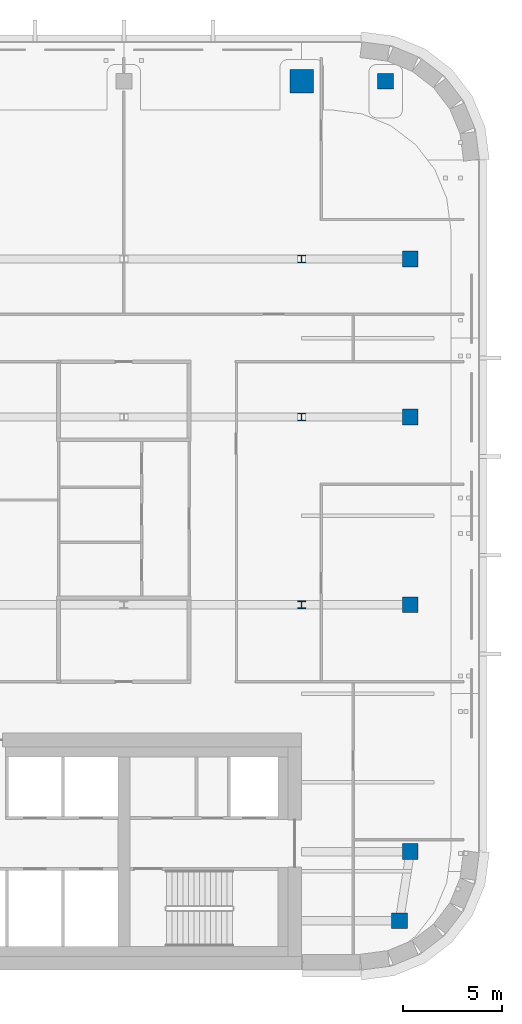
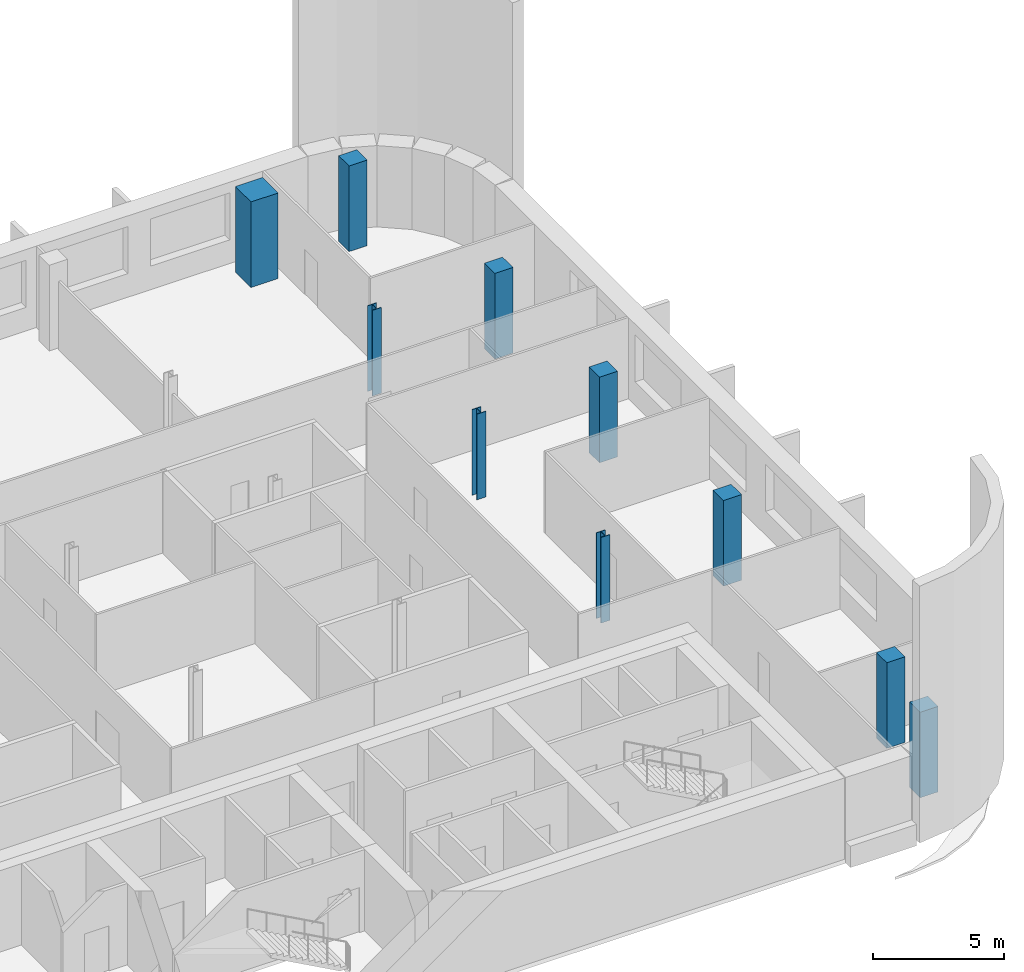
# One storey, part 4 of 19: 10 columns.
"""IFC4 building model written with IfcOpenShell, lengths in metres."""

import ifcopenshell
import ifcopenshell.guid

model = None  # the IFC model being written
_history = None  # IfcOwnerHistory: only IFC2X3 demands one
_inside = {}  # id of a spatial element -> (the spatial element, [elements in it])
_under = {}  # id of a project, library or spatial element -> (it, [spatial elements below it])
_declared = {}  # id of a project -> (the project, [libraries it declares])
_typed = {}  # id of a type object -> (the type object, [elements of that type])
_made_of = {}  # id of a material, layer set ... -> (it, [elements and type objects made of it])


def new_model(schema):
    """Start an empty IFC model of exactly this schema.

    Asked for "IFC4X3", IfcOpenShell would pick the latest addendum, in which some entities
    have other attributes; the version numbers below select the first issue.
    IFC2X3 requires an IfcOwnerHistory on every rooted entity: one is made here for all.
    """
    global model, _history
    if schema == "IFC4X3":
        model = ifcopenshell.file(schema_version=(4, 3, 0, 0))
    else:
        model = ifcopenshell.file(schema=schema)
    _inside.clear()
    _under.clear()
    _declared.clear()
    _typed.clear()
    _made_of.clear()
    _history = None
    if model.schema == "IFC2X3":
        org = make("IfcOrganization", Name="unknown")
        user = make(
            "IfcPersonAndOrganization",
            ThePerson=make("IfcPerson", FamilyName="unknown"),
            TheOrganization=org,
        )
        app = make(
            "IfcApplication",
            ApplicationDeveloper=org,
            Version="unknown",
            ApplicationFullName="unknown",
            ApplicationIdentifier="unknown",
        )
        _history = make(
            "IfcOwnerHistory",
            OwningUser=user,
            OwningApplication=app,
            ChangeAction="ADDED",
            CreationDate=0,
        )
    return model


def make(cls, **values):
    """One entity of the class cls with the attributes given. An attribute that is None is left unset."""
    return model.create_entity(
        cls, **{name: value for name, value in values.items() if value is not None}
    )


def rooted(cls, **values):
    """An entity with a GlobalId (a new one), such as an element, a storey or a relation."""
    return make(cls, GlobalId=ifcopenshell.guid.new(), OwnerHistory=_history, **values)


def si_unit(unit_type, name, prefix=None):
    """IfcSIUnit, for example si_unit("LENGTHUNIT", "METRE", prefix="MILLI")."""
    return make("IfcSIUnit", UnitType=unit_type, Prefix=prefix, Name=name)


def assignment(units):
    """IfcUnitAssignment: the units of a project."""
    return None if units is None else make("IfcUnitAssignment", Units=units)


def point(xyz):
    """IfcCartesianPoint."""
    return None if xyz is None else make("IfcCartesianPoint", Coordinates=xyz)


def direction(xyz):
    """IfcDirection."""
    return None if xyz is None else make("IfcDirection", DirectionRatios=xyz)


def frame(location, z_axis=None, x_axis=None):
    """IfcAxis2Placement3D, a coordinate frame: its origin and axes. An axis left out is left unset."""
    return make(
        "IfcAxis2Placement3D",
        Location=point(location),
        Axis=direction(z_axis),
        RefDirection=direction(x_axis),
    )


def frame_2d(location, x_axis=None):
    """IfcAxis2Placement2D, a coordinate frame in the plane: its origin and x axis."""
    return make(
        "IfcAxis2Placement2D", Location=point(location), RefDirection=direction(x_axis)
    )


def origin():
    """The frame at (0, 0, 0) with its axes left unset."""
    return frame((0.0, 0.0, 0.0))


def origin_2d():
    """The frame at (0, 0) in the plane with its x axis left unset."""
    return frame_2d((0.0, 0.0))


def place(relative_to, where):
    """IfcLocalPlacement: puts the frame where relative to a parent placement (None: the world)."""
    return make(
        "IfcLocalPlacement", PlacementRelTo=relative_to, RelativePlacement=where
    )


def context(
    kind, dimensions, precision=None, world=None, true_north=None, identifier=None
):
    """IfcGeometricRepresentationContext, for example the 3D "Model" context."""
    return make(
        "IfcGeometricRepresentationContext",
        ContextIdentifier=identifier,
        ContextType=kind,
        CoordinateSpaceDimension=dimensions,
        Precision=precision,
        WorldCoordinateSystem=world,
        TrueNorth=true_north,
    )


def subcontext(parent, identifier, kind, view, scale=None):
    """IfcGeometricRepresentationSubContext, for example "Body" below "Model"."""
    return make(
        "IfcGeometricRepresentationSubContext",
        ContextIdentifier=identifier,
        ContextType=kind,
        ParentContext=parent,
        TargetScale=scale,
        TargetView=view,
    )


def project(units=None, contexts=None):
    """IfcProject with its units and contexts."""
    return rooted(
        "IfcProject",
        Name="project",
        RepresentationContexts=contexts,
        UnitsInContext=assignment(units),
    )


def spatial(cls, under=None, at=None, **own):
    """A site, building, storey or space (cls), placed at a placement, below another one or the project."""
    s = rooted(cls, ObjectPlacement=at, **own)
    if under is not None:
        _under.setdefault(under.id(), (under, []))[1].append(s)
    return s


def profile(cls, at=None, kind="AREA", **sizes):
    """A parametric profile (cls). Its sizes go by their IFC names, for example OverallWidth=200.0."""
    return make(cls, ProfileType=kind, Position=at, **sizes)


def rectangle(**sizes):
    """IfcRectangleProfileDef."""
    return profile("IfcRectangleProfileDef", **sizes)


def i_section(**sizes):
    """IfcIShapeProfileDef."""
    return profile("IfcIShapeProfileDef", **sizes)


def extrude(swept, where, along, depth):
    """IfcExtrudedAreaSolid: the profile swept, set in the frame where, extruded along a direction by depth."""
    return make(
        "IfcExtrudedAreaSolid",
        SweptArea=swept,
        Position=where,
        ExtrudedDirection=direction(along),
        Depth=depth,
    )


def shape(context_of_items, identifier, shape_type, items):
    """IfcShapeRepresentation: the items that make up one representation, for example the "Body"."""
    return make(
        "IfcShapeRepresentation",
        ContextOfItems=context_of_items,
        RepresentationIdentifier=identifier,
        RepresentationType=shape_type,
        Items=items,
    )


def material(Name=None, Category=None):
    """IfcMaterial."""
    return make("IfcMaterial", Name=Name, Category=Category)


def material_profile(
    of_material, cross_section, Name=None, Category=None, Priority=None
):
    """IfcMaterialProfile: a cross section and its material."""
    return make(
        "IfcMaterialProfile",
        Name=Name,
        Material=of_material,
        Profile=cross_section,
        Priority=Priority,
        Category=Category,
    )


def profile_set(profiles, Name=None, composite=None):
    """IfcMaterialProfileSet."""
    return make(
        "IfcMaterialProfileSet",
        Name=Name,
        MaterialProfiles=profiles,
        CompositeProfile=composite,
    )


def made_of(thing, what):
    """Note that an element or type object is made of a material, layer set ...; save() writes the relation."""
    if what is not None:
        _made_of.setdefault(what.id(), (what, []))[1].append(thing)
    return thing


def type_object(cls, material=None, **own):
    """A type object (cls), such as IfcWallType, which elements share."""
    return made_of(rooted(cls, **own), material)


def element(
    cls,
    number,
    at=None,
    inside=None,
    cuts=None,
    type_object=None,
    material=None,
    context=None,
    identifier="Body",
    shape_type=None,
    held_by="IfcProductDefinitionShape",
    body=None,
    shapes=None,
    **own,
):
    """One element of the class cls, such as IfcWall. Its Tag is "e" and its number.

    at: its placement. inside: the storey or other place that contains it. cuts: it is an
    opening in that element (IfcRelVoidsElement). A single representation is given by context,
    identifier, shape_type and body (its items); several are given by shapes. held_by: the class
    of the entity that holds the representations. save() writes the other relations.
    """
    e = rooted(cls, Tag="e%d" % number, ObjectPlacement=at, **own)
    if body is not None:
        shapes = [shape(context, identifier, shape_type, body)]
    if shapes is not None:
        e.Representation = make(held_by, Representations=shapes)
    if inside is not None:
        _inside.setdefault(inside.id(), (inside, []))[1].append(e)
    if cuts is not None:
        rooted(
            "IfcRelVoidsElement", RelatingBuildingElement=cuts, RelatedOpeningElement=e
        )
    if type_object is not None:
        _typed.setdefault(type_object.id(), (type_object, []))[1].append(e)
    return made_of(e, material)


def aggregate(whole, parts):
    """IfcRelAggregates: a whole, such as a stair, and the parts it consists of."""
    return rooted("IfcRelAggregates", RelatingObject=whole, RelatedObjects=parts)


def save(model, path):
    """Write the relations noted so far, then the file.

    IfcRelAggregates (storeys below a building ...), IfcRelContainedInSpatialStructure (elements
    in a storey), IfcRelDefinesByType, IfcRelAssociatesMaterial and IfcRelDeclares: one each for
    every whole, place, type object, material and project.
    """
    for whole, parts in _under.values():
        aggregate(whole, parts)
    for where, things in _inside.values():
        rooted(
            "IfcRelContainedInSpatialStructure",
            RelatedElements=things,
            RelatingStructure=where,
        )
    for kind, things in _typed.values():
        rooted("IfcRelDefinesByType", RelatedObjects=things, RelatingType=kind)
    for what, things in _made_of.values():
        rooted("IfcRelAssociatesMaterial", RelatedObjects=things, RelatingMaterial=what)
    for by, libraries in _declared.values():
        rooted("IfcRelDeclares", RelatingContext=by, RelatedDefinitions=libraries)
    model.write(path)


model = new_model("IFC4")

# Units and contexts
model_context = context("Model", 3, precision=1e-05, world=origin(), true_north=direction((0.0, 1.0)))
body_context = subcontext(model_context, "Body", "Model", "MODEL_VIEW")
ifc_project = project(units=[si_unit("LENGTHUNIT", "METRE"), si_unit("AREAUNIT", "SQUARE_METRE"), si_unit("VOLUMEUNIT", "CUBIC_METRE"), si_unit("PLANEANGLEUNIT", "RADIAN"), si_unit("MASSUNIT", "GRAM", prefix="KILO")], contexts=[model_context])

# Site, building, storey
site_placement = place(None, origin())
site = spatial("IfcSite", under=ifc_project, at=site_placement, CompositionType="ELEMENT")
building_placement = place(site_placement, origin())
building = spatial("IfcBuilding", under=site, at=building_placement, Name="Zellij Exchange Tower", CompositionType="ELEMENT")
storey_placement = place(building_placement, frame((0.0, 0.0, 220.5)))
storey = spatial("IfcBuildingStorey", under=building, at=storey_placement, Name="L51", CompositionType="ELEMENT", Elevation=220.5)

# Columns
ifc_material_1 = material(Name="Concrete C50/60", Category="concrete")
ifc_material_profile_1 = material_profile(ifc_material_1, rectangle(XDim=0.800048828125, YDim=0.800048828125, at=origin_2d()), Name="STR-COLUMN RC800x800 C50/60")
ifc_profile_set_1 = profile_set([ifc_material_profile_1], Name="Concrete C50/60")
column_type_1 = type_object("IfcColumnType", Name="STR-COLUMN RC800x800 C50/60", PredefinedType="COLUMN", material=ifc_profile_set_1)
for number, where, z_axis, x_axis, name in (
    (1, (31.949951171875, -11.5, 0.0), (0.0, 0.0, 1.0), (1.0, 0.0, 0.0), "C15"),
    (2, (32.5, -8.0, 0.0), (0.0, 0.0, 1.0), (1.0, 0.0, 0.0), "C15"),
    (3, (32.5, 4.5, 0.0), (0.0, 0.0, 1.0), (1.0, 0.0, 0.0), "C15"),
    (4, (32.5, 14.0, 0.0), (0.0, 0.0, 1.0), (1.0, 0.0, 0.0), "C15"),
    (5, (32.5, 22.0, 0.0), (0.0, 0.0, 1.0), (1.0, 0.0, 0.0), "C15"),
    (6, (31.25, 31.0, 0.0), (0.0, 0.0, 1.0), (1.0, 0.0, 0.0), "C15"),
):
    element("IfcColumn", number, at=place(storey_placement, frame(where, z_axis=z_axis, x_axis=x_axis)), inside=storey, type_object=column_type_1, Name=name, PredefinedType="COLUMN", context=body_context, shape_type="SweptSolid", body=[
        extrude(rectangle(XDim=0.800048828125, YDim=0.800048828125, at=origin_2d()), origin(), (0.0, 0.0, 1.0), 4.0),
    ])
ifc_material_2 = material(Name="Structural steel ASTM A992 Gr 50", Category="steel")
ifc_material_profile_2 = material_profile(ifc_material_2, i_section(OverallWidth=0.398681640625, OverallDepth=0.385986328125, WebThickness=0.02099609375, FlangeThickness=0.033203125, at=origin_2d()), Name="W14x176")
ifc_profile_set_2 = profile_set([ifc_material_profile_2], Name="Structural steel ASTM A992 Gr 50")
column_type_2 = type_object("IfcColumnType", Name="STR-COLUMN W14x176", PredefinedType="COLUMN", material=ifc_profile_set_2)
for number, where, z_axis, x_axis, name in (
    (7, (27.0, 4.5, 0.0), (0.0, 0.0, 1.0), (1.0, 0.0, 0.0), "C2"),
    (8, (27.0, 14.0, 0.0), (0.0, 0.0, 1.0), (1.0, 0.0, 0.0), "C2"),
    (9, (27.0, 22.0, 0.0), (0.0, 0.0, 1.0), (1.0, 0.0, 0.0), "C2"),
):
    element("IfcColumn", number, at=place(storey_placement, frame(where, z_axis=z_axis, x_axis=x_axis)), inside=storey, type_object=column_type_2, Name=name, PredefinedType="COLUMN", context=body_context, shape_type="SweptSolid", body=[
        extrude(i_section(OverallWidth=0.398681640625, OverallDepth=0.385986328125, WebThickness=0.02099609375, FlangeThickness=0.033203125, at=origin_2d()), origin(), (0.0, 0.0, 1.0), 4.0),
    ])
ifc_material_profile_3 = material_profile(ifc_material_1, rectangle(XDim=1.199951171875, YDim=1.199951171875, at=origin_2d()), Name="STR-MEGA COLUMN RC1200x1200 C50/60")
ifc_profile_set_3 = profile_set([ifc_material_profile_3], Name="Concrete C50/60")
column_type_3 = type_object("IfcColumnType", Name="STR-MEGA COLUMN RC1200x1200 C50/60", PredefinedType="COLUMN", material=ifc_profile_set_3)
column_placement = place(storey_placement, frame((27.0, 31.0, 0.0), z_axis=(0.0, 0.0, 1.0), x_axis=(1.0, 0.0, 0.0)))
element("IfcColumn", 10, at=column_placement, inside=storey, type_object=column_type_3, Name="MC2", PredefinedType="COLUMN", context=body_context, shape_type="SweptSolid", body=[
    extrude(rectangle(XDim=1.199951171875, YDim=1.199951171875, at=origin_2d()), origin(), (0.0, 0.0, 1.0), 4.0),
])

save(model, "model.ifc")
